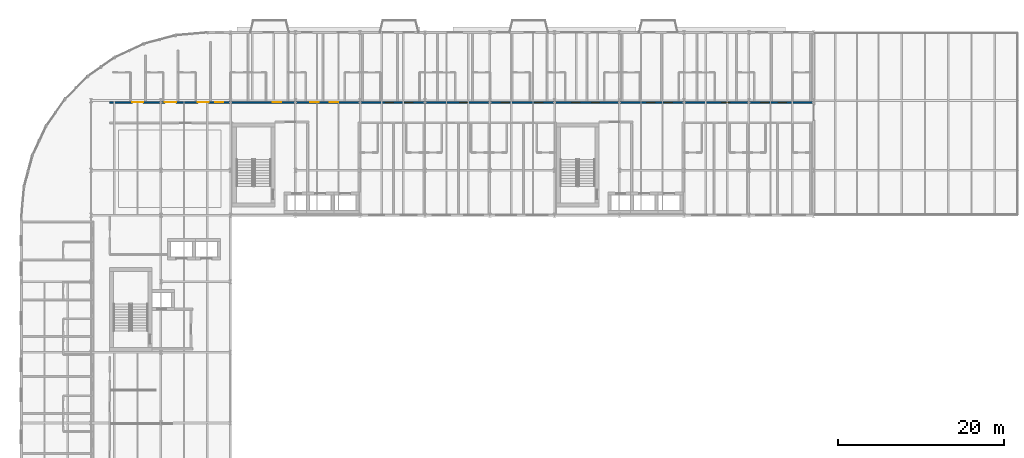
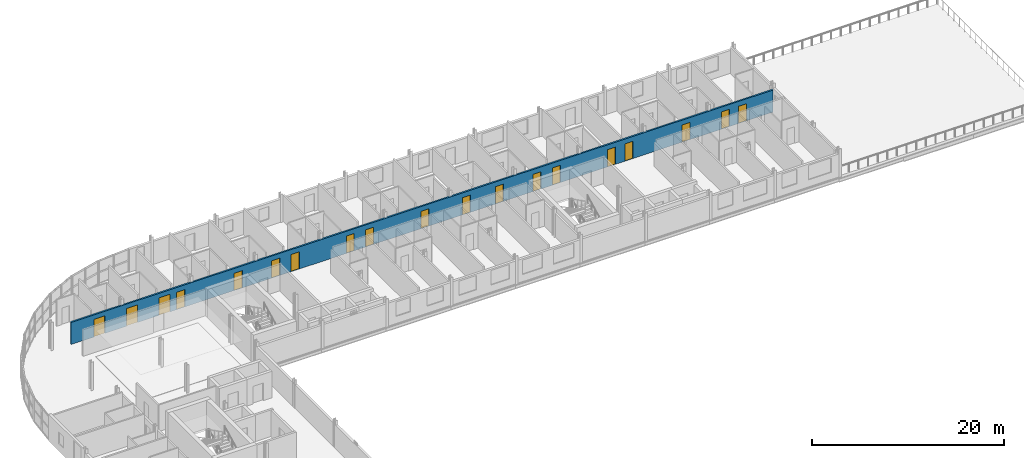
# One storey, part 22 of 30: 19 doors, 1 wall, 19 openings.
"""IFC4 building model written with IfcOpenShell, lengths in metres."""

from ifc_helpers import new_model, si_unit, direction, frame, frame_2d, origin, place, context, subcontext, project, spatial, rectangle, extrude, material, layer, layer_set, type_object, element, fill, save


model = new_model("IFC4")

# Units and contexts
model_context = context("Model", 3, precision=1e-05, world=origin(), true_north=direction((0.0, 1.0)))
body_context = subcontext(model_context, "Body", "Model", "MODEL_VIEW")
ifc_project = project(units=[si_unit("LENGTHUNIT", "METRE"), si_unit("AREAUNIT", "SQUARE_METRE"), si_unit("VOLUMEUNIT", "CUBIC_METRE"), si_unit("PLANEANGLEUNIT", "RADIAN"), si_unit("MASSUNIT", "GRAM", prefix="KILO")], contexts=[model_context])

# Site, building, storey
site_placement = place(None, origin())
site = spatial("IfcSite", under=ifc_project, at=site_placement, CompositionType="ELEMENT")
building_placement = place(site_placement, origin())
building = spatial("IfcBuilding", under=site, at=building_placement, Name="Sefraquen Railside Congress Hotel", CompositionType="ELEMENT")
storey_placement = place(building_placement, frame((0.0, 0.0, 35.39990234375)))
storey = spatial("IfcBuildingStorey", under=building, at=storey_placement, Name="L08", CompositionType="ELEMENT", Elevation=35.39990234375)

# Wall, openings, doors
ifc_material_1 = material(Name="Acoustic gypsum board on metal stud", Category="gypsum")
ifc_layer = layer(ifc_material_1, 0.199951171875)
ifc_layer_set = layer_set([ifc_layer], Name="Acoustic gypsum board on metal stud")
wall_type = type_object("IfcWallType", Name="TW-PW-200", PredefinedType="PARTITIONING", material=ifc_layer_set)
wall_placement = place(storey_placement, frame((10.64990234375, 109.60009765625, 0.0), z_axis=(0.0, 0.0, 1.0), x_axis=(1.0, 0.0, 0.0)))
wall = element("IfcWall", 1, at=wall_placement, inside=storey, type_object=wall_type, Name="Hotel L08 north corridor fire-rated partition", PredefinedType="PARTITIONING", context=body_context, shape_type="SweptSolid", body=[
    extrude(rectangle(XDim=84.610107421875, YDim=0.199951171875, at=frame_2d((42.30517578125, 0.0))), origin(), (0.0, 0.0, 1.0), 2.820068359375),
])
opening_1_placement = place(wall_placement, frame((12.675048828125, 0.0, 0.0)))
opening_1 = element("IfcOpeningElement", 2, at=opening_1_placement, cuts=wall, Name="Opening GD-01", PredefinedType="OPENING", context=body_context, shape_type="SweptSolid", body=[
    extrude(rectangle(XDim=1.02001953125, YDim=2.199951171875, at=frame_2d((0.510009765625, 1.10009765625))), frame((0.0, 0.10986328125, 0.0), z_axis=(0.0, -1.0, 0.0), x_axis=(1.0, 0.0, 0.0)), (0.0, 0.0, 1.0), 0.219970703125),
])
opening_2_placement = place(wall_placement, frame((19.6201171875, 0.0, 0.0)))
opening_2 = element("IfcOpeningElement", 3, at=opening_2_placement, cuts=wall, Name="Opening GD-01", PredefinedType="OPENING", context=body_context, shape_type="SweptSolid", body=[
    extrude(rectangle(XDim=1.02001953125, YDim=2.199951171875, at=frame_2d((0.510009765625, 1.10009765625))), frame((0.0, 0.10986328125, 0.0), z_axis=(0.0, -1.0, 0.0), x_axis=(1.0, 0.0, 0.0)), (0.0, 0.0, 1.0), 0.219970703125),
])
opening_3_placement = place(wall_placement, frame((24.1201171875, 0.0, 0.0)))
opening_3 = element("IfcOpeningElement", 4, at=opening_3_placement, cuts=wall, Name="Opening GD-01", PredefinedType="OPENING", context=body_context, shape_type="SweptSolid", body=[
    extrude(rectangle(XDim=1.02001953125, YDim=2.199951171875, at=frame_2d((0.510009765625, 1.10009765625))), frame((0.0, 0.10986328125, 0.0), z_axis=(0.0, -1.0, 0.0), x_axis=(1.0, 0.0, 0.0)), (0.0, 0.0, 1.0), 0.219970703125),
])
opening_4_placement = place(wall_placement, frame((26.469970703125, 0.0, 0.0)))
opening_4 = element("IfcOpeningElement", 5, at=opening_4_placement, cuts=wall, Name="Opening GD-01", PredefinedType="OPENING", context=body_context, shape_type="SweptSolid", body=[
    extrude(rectangle(XDim=1.02001953125, YDim=2.199951171875, at=frame_2d((0.510009765625, 1.10009765625))), frame((0.0, 0.10986328125, 0.0), z_axis=(0.0, -1.0, 0.0), x_axis=(1.0, 0.0, 0.0)), (0.0, 0.0, 1.0), 0.219970703125),
])
opening_5_placement = place(wall_placement, frame((33.14990234375, 0.0, 0.0)))
opening_5 = element("IfcOpeningElement", 6, at=opening_5_placement, cuts=wall, Name="Opening GD-02", PredefinedType="OPENING", context=body_context, shape_type="SweptSolid", body=[
    extrude(rectangle(XDim=0.9599609375, YDim=2.199951171875, at=frame_2d((0.47998046875, 1.10009765625))), frame((0.0, 0.10986328125, 0.0), z_axis=(0.0, -1.0, 0.0), x_axis=(1.0, 0.0, 0.0)), (0.0, 0.0, 1.0), 0.219970703125),
])
opening_6_placement = place(wall_placement, frame((35.5, 0.0, 0.0)))
opening_6 = element("IfcOpeningElement", 7, at=opening_6_placement, cuts=wall, Name="Opening GD-02", PredefinedType="OPENING", context=body_context, shape_type="SweptSolid", body=[
    extrude(rectangle(XDim=0.9599609375, YDim=2.199951171875, at=frame_2d((0.47998046875, 1.10009765625))), frame((0.0, 0.10986328125, 0.0), z_axis=(0.0, -1.0, 0.0), x_axis=(1.0, 0.0, 0.0)), (0.0, 0.0, 1.0), 0.219970703125),
])
opening_7_placement = place(wall_placement, frame((42.14990234375, 0.0, 0.0)))
opening_7 = element("IfcOpeningElement", 8, at=opening_7_placement, cuts=wall, Name="Opening GD-02", PredefinedType="OPENING", context=body_context, shape_type="SweptSolid", body=[
    extrude(rectangle(XDim=0.9599609375, YDim=2.199951171875, at=frame_2d((0.47998046875, 1.10009765625))), frame((0.0, 0.10986328125, 0.0), z_axis=(0.0, -1.0, 0.0), x_axis=(1.0, 0.0, 0.0)), (0.0, 0.0, 1.0), 0.219970703125),
])
opening_8_placement = place(wall_placement, frame((47.14990234375, 0.0, 0.0)))
opening_8 = element("IfcOpeningElement", 9, at=opening_8_placement, cuts=wall, Name="Opening GD-02", PredefinedType="OPENING", context=body_context, shape_type="SweptSolid", body=[
    extrude(rectangle(XDim=0.9599609375, YDim=2.199951171875, at=frame_2d((0.47998046875, 1.10009765625))), frame((0.0, 0.10986328125, 0.0), z_axis=(0.0, -1.0, 0.0), x_axis=(1.0, 0.0, 0.0)), (0.0, 0.0, 1.0), 0.219970703125),
])
opening_9_placement = place(wall_placement, frame((51.14990234375, 0.0, 0.0)))
opening_9 = element("IfcOpeningElement", 10, at=opening_9_placement, cuts=wall, Name="Opening GD-02", PredefinedType="OPENING", context=body_context, shape_type="SweptSolid", body=[
    extrude(rectangle(XDim=0.9599609375, YDim=2.199951171875, at=frame_2d((0.47998046875, 1.10009765625))), frame((0.0, 0.10986328125, 0.0), z_axis=(0.0, -1.0, 0.0), x_axis=(1.0, 0.0, 0.0)), (0.0, 0.0, 1.0), 0.219970703125),
])
opening_10_placement = place(wall_placement, frame((55.64990234375, 0.0, 0.0)))
opening_10 = element("IfcOpeningElement", 11, at=opening_10_placement, cuts=wall, Name="Opening GD-02", PredefinedType="OPENING", context=body_context, shape_type="SweptSolid", body=[
    extrude(rectangle(XDim=0.9599609375, YDim=2.199951171875, at=frame_2d((0.47998046875, 1.10009765625))), frame((0.0, 0.10986328125, 0.0), z_axis=(0.0, -1.0, 0.0), x_axis=(1.0, 0.0, 0.0)), (0.0, 0.0, 1.0), 0.219970703125),
])
opening_11_placement = place(wall_placement, frame((58.0, 0.0, 0.0)))
opening_11 = element("IfcOpeningElement", 12, at=opening_11_placement, cuts=wall, Name="Opening GD-02", PredefinedType="OPENING", context=body_context, shape_type="SweptSolid", body=[
    extrude(rectangle(XDim=0.9599609375, YDim=2.199951171875, at=frame_2d((0.47998046875, 1.10009765625))), frame((0.0, 0.10986328125, 0.0), z_axis=(0.0, -1.0, 0.0), x_axis=(1.0, 0.0, 0.0)), (0.0, 0.0, 1.0), 0.219970703125),
])
opening_12_placement = place(wall_placement, frame((64.64990234375, 0.0, 0.0)))
opening_12 = element("IfcOpeningElement", 13, at=opening_12_placement, cuts=wall, Name="Opening GD-02", PredefinedType="OPENING", context=body_context, shape_type="SweptSolid", body=[
    extrude(rectangle(XDim=0.9599609375, YDim=2.199951171875, at=frame_2d((0.47998046875, 1.10009765625))), frame((0.0, 0.10986328125, 0.0), z_axis=(0.0, -1.0, 0.0), x_axis=(1.0, 0.0, 0.0)), (0.0, 0.0, 1.0), 0.219970703125),
])
opening_13_placement = place(wall_placement, frame((66.75, 0.0, 0.0)))
opening_13 = element("IfcOpeningElement", 14, at=opening_13_placement, cuts=wall, Name="Opening GD-02", PredefinedType="OPENING", context=body_context, shape_type="SweptSolid", body=[
    extrude(rectangle(XDim=0.9599609375, YDim=2.199951171875, at=frame_2d((0.47998046875, 1.10009765625))), frame((0.0, 0.10986328125, 0.0), z_axis=(0.0, -1.0, 0.0), x_axis=(1.0, 0.0, 0.0)), (0.0, 0.0, 1.0), 0.219970703125),
])
opening_14_placement = place(wall_placement, frame((73.64990234375, 0.0, 0.0)))
opening_14 = element("IfcOpeningElement", 15, at=opening_14_placement, cuts=wall, Name="Opening GD-02", PredefinedType="OPENING", context=body_context, shape_type="SweptSolid", body=[
    extrude(rectangle(XDim=0.9599609375, YDim=2.199951171875, at=frame_2d((0.47998046875, 1.10009765625))), frame((0.0, 0.10986328125, 0.0), z_axis=(0.0, -1.0, 0.0), x_axis=(1.0, 0.0, 0.0)), (0.0, 0.0, 1.0), 0.219970703125),
])
opening_15_placement = place(wall_placement, frame((78.39990234375, 0.0, 0.0)))
opening_15 = element("IfcOpeningElement", 16, at=opening_15_placement, cuts=wall, Name="Opening GD-02", PredefinedType="OPENING", context=body_context, shape_type="SweptSolid", body=[
    extrude(rectangle(XDim=0.9599609375, YDim=2.199951171875, at=frame_2d((0.47998046875, 1.10009765625))), frame((0.0, 0.10986328125, 0.0), z_axis=(0.0, -1.0, 0.0), x_axis=(1.0, 0.0, 0.0)), (0.0, 0.0, 1.0), 0.219970703125),
])
opening_16_placement = place(wall_placement, frame((80.455078125, 0.0, 0.0)))
opening_16 = element("IfcOpeningElement", 17, at=opening_16_placement, cuts=wall, Name="Opening GD-02", PredefinedType="OPENING", context=body_context, shape_type="SweptSolid", body=[
    extrude(rectangle(XDim=0.9599609375, YDim=2.199951171875, at=frame_2d((0.47998046875, 1.10009765625))), frame((0.0, 0.10986328125, 0.0), z_axis=(0.0, -1.0, 0.0), x_axis=(1.0, 0.0, 0.0)), (0.0, 0.0, 1.0), 0.219970703125),
])
opening_17_placement = place(wall_placement, frame((2.716064453125, 0.0, 0.0)))
opening_17 = element("IfcOpeningElement", 18, at=opening_17_placement, cuts=wall, Name="Opening GD-03", PredefinedType="OPENING", context=body_context, shape_type="SweptSolid", body=[
    extrude(rectangle(XDim=1.35009765625, YDim=2.25, at=frame_2d((0.675048828125, 1.125))), frame((0.0, 0.10986328125, 0.0), z_axis=(0.0, -1.0, 0.0), x_axis=(1.0, 0.0, 0.0)), (0.0, 0.0, 1.0), 0.219970703125),
])
opening_18_placement = place(wall_placement, frame((6.64990234375, 0.0, 0.0)))
opening_18 = element("IfcOpeningElement", 19, at=opening_18_placement, cuts=wall, Name="Opening GD-03", PredefinedType="OPENING", context=body_context, shape_type="SweptSolid", body=[
    extrude(rectangle(XDim=1.35009765625, YDim=2.25, at=frame_2d((0.675048828125, 1.125))), frame((0.0, 0.10986328125, 0.0), z_axis=(0.0, -1.0, 0.0), x_axis=(1.0, 0.0, 0.0)), (0.0, 0.0, 1.0), 0.219970703125),
])
opening_19_placement = place(wall_placement, frame((10.5830078125, 0.0, 0.0)))
opening_19 = element("IfcOpeningElement", 20, at=opening_19_placement, cuts=wall, Name="Opening GD-03", PredefinedType="OPENING", context=body_context, shape_type="SweptSolid", body=[
    extrude(rectangle(XDim=1.35009765625, YDim=2.25, at=frame_2d((0.675048828125, 1.125))), frame((0.0, 0.10986328125, 0.0), z_axis=(0.0, -1.0, 0.0), x_axis=(1.0, 0.0, 0.0)), (0.0, 0.0, 1.0), 0.219970703125),
])
ifc_material_2 = material(Name="Solid Atlas cedar timber fire leaf", Category="wood")
door_type_1 = type_object("IfcDoorType", Name="TD-GD-01", OperationType="NOTDEFINED", PredefinedType="DOOR", material=ifc_material_2)
door_1_placement = place(opening_1_placement, origin())
door_1 = element("IfcDoor", 21, at=door_1_placement, inside=storey, type_object=door_type_1, Name="Guest room entrance fire door RM-001", OperationType="SINGLE_SWING_RIGHT", OverallHeight=2.199951171875, OverallWidth=1.02001953125, PredefinedType="DOOR", context=body_context, shape_type="SweptSolid", body=[
    extrude(rectangle(XDim=1.02001953125, YDim=2.199951171875, at=frame_2d((0.510009765625, 1.10009765625))), frame((0.0, 0.02490234375, 0.0), z_axis=(0.0, -1.0, 0.0), x_axis=(1.0, 0.0, 0.0)), (0.0, 0.0, 1.0), 0.050048828125),
])
fill(opening_1, door_1)
door_2_placement = place(opening_2_placement, origin())
door_2 = element("IfcDoor", 22, at=door_2_placement, inside=storey, type_object=door_type_1, Name="Guest room entrance fire door RM-002", OperationType="SINGLE_SWING_RIGHT", OverallHeight=2.199951171875, OverallWidth=1.02001953125, PredefinedType="DOOR", context=body_context, shape_type="SweptSolid", body=[
    extrude(rectangle(XDim=1.02001953125, YDim=2.199951171875, at=frame_2d((0.510009765625, 1.10009765625))), frame((0.0, 0.02490234375, 0.0), z_axis=(0.0, -1.0, 0.0), x_axis=(1.0, 0.0, 0.0)), (0.0, 0.0, 1.0), 0.050048828125),
])
fill(opening_2, door_2)
door_3_placement = place(opening_3_placement, origin())
door_3 = element("IfcDoor", 23, at=door_3_placement, inside=storey, type_object=door_type_1, Name="Guest room entrance fire door RM-003", OperationType="SINGLE_SWING_RIGHT", OverallHeight=2.199951171875, OverallWidth=1.02001953125, PredefinedType="DOOR", context=body_context, shape_type="SweptSolid", body=[
    extrude(rectangle(XDim=1.02001953125, YDim=2.199951171875, at=frame_2d((0.510009765625, 1.10009765625))), frame((0.0, 0.02490234375, 0.0), z_axis=(0.0, -1.0, 0.0), x_axis=(1.0, 0.0, 0.0)), (0.0, 0.0, 1.0), 0.050048828125),
])
fill(opening_3, door_3)
door_4_placement = place(opening_4_placement, origin())
door_4 = element("IfcDoor", 24, at=door_4_placement, inside=storey, type_object=door_type_1, Name="Guest room entrance fire door RM-004", OperationType="SINGLE_SWING_RIGHT", OverallHeight=2.199951171875, OverallWidth=1.02001953125, PredefinedType="DOOR", context=body_context, shape_type="SweptSolid", body=[
    extrude(rectangle(XDim=1.02001953125, YDim=2.199951171875, at=frame_2d((0.510009765625, 1.10009765625))), frame((0.0, 0.02490234375, 0.0), z_axis=(0.0, -1.0, 0.0), x_axis=(1.0, 0.0, 0.0)), (0.0, 0.0, 1.0), 0.050048828125),
])
fill(opening_4, door_4)
door_type_2 = type_object("IfcDoorType", Name="TD-GD-02", OperationType="NOTDEFINED", PredefinedType="DOOR", material=ifc_material_2)
door_5_placement = place(opening_5_placement, origin())
door_5 = element("IfcDoor", 25, at=door_5_placement, inside=storey, type_object=door_type_2, Name="Guest room entrance fire door RM-005", OperationType="SINGLE_SWING_RIGHT", OverallHeight=2.199951171875, OverallWidth=0.9599609375, PredefinedType="DOOR", context=body_context, shape_type="SweptSolid", body=[
    extrude(rectangle(XDim=0.9599609375, YDim=2.199951171875, at=frame_2d((0.47998046875, 1.10009765625))), frame((0.0, 0.02490234375, 0.0), z_axis=(0.0, -1.0, 0.0), x_axis=(1.0, 0.0, 0.0)), (0.0, 0.0, 1.0), 0.050048828125),
])
fill(opening_5, door_5)
door_6_placement = place(opening_6_placement, origin())
door_6 = element("IfcDoor", 26, at=door_6_placement, inside=storey, type_object=door_type_2, Name="Guest room entrance fire door RM-006", OperationType="SINGLE_SWING_RIGHT", OverallHeight=2.199951171875, OverallWidth=0.9599609375, PredefinedType="DOOR", context=body_context, shape_type="SweptSolid", body=[
    extrude(rectangle(XDim=0.9599609375, YDim=2.199951171875, at=frame_2d((0.47998046875, 1.10009765625))), frame((0.0, 0.02490234375, 0.0), z_axis=(0.0, -1.0, 0.0), x_axis=(1.0, 0.0, 0.0)), (0.0, 0.0, 1.0), 0.050048828125),
])
fill(opening_6, door_6)
door_7_placement = place(opening_7_placement, origin())
door_7 = element("IfcDoor", 27, at=door_7_placement, inside=storey, type_object=door_type_2, Name="Guest room entrance fire door RM-007", OperationType="SINGLE_SWING_RIGHT", OverallHeight=2.199951171875, OverallWidth=0.9599609375, PredefinedType="DOOR", context=body_context, shape_type="SweptSolid", body=[
    extrude(rectangle(XDim=0.9599609375, YDim=2.199951171875, at=frame_2d((0.47998046875, 1.10009765625))), frame((0.0, 0.02490234375, 0.0), z_axis=(0.0, -1.0, 0.0), x_axis=(1.0, 0.0, 0.0)), (0.0, 0.0, 1.0), 0.050048828125),
])
fill(opening_7, door_7)
door_8_placement = place(opening_8_placement, origin())
door_8 = element("IfcDoor", 28, at=door_8_placement, inside=storey, type_object=door_type_2, Name="Guest room entrance fire door RM-008", OperationType="SINGLE_SWING_RIGHT", OverallHeight=2.199951171875, OverallWidth=0.9599609375, PredefinedType="DOOR", context=body_context, shape_type="SweptSolid", body=[
    extrude(rectangle(XDim=0.9599609375, YDim=2.199951171875, at=frame_2d((0.47998046875, 1.10009765625))), frame((0.0, 0.02490234375, 0.0), z_axis=(0.0, -1.0, 0.0), x_axis=(1.0, 0.0, 0.0)), (0.0, 0.0, 1.0), 0.050048828125),
])
fill(opening_8, door_8)
door_9_placement = place(opening_9_placement, origin())
door_9 = element("IfcDoor", 29, at=door_9_placement, inside=storey, type_object=door_type_2, Name="Guest room entrance fire door RM-009", OperationType="SINGLE_SWING_RIGHT", OverallHeight=2.199951171875, OverallWidth=0.9599609375, PredefinedType="DOOR", context=body_context, shape_type="SweptSolid", body=[
    extrude(rectangle(XDim=0.9599609375, YDim=2.199951171875, at=frame_2d((0.47998046875, 1.10009765625))), frame((0.0, 0.02490234375, 0.0), z_axis=(0.0, -1.0, 0.0), x_axis=(1.0, 0.0, 0.0)), (0.0, 0.0, 1.0), 0.050048828125),
])
fill(opening_9, door_9)
door_10_placement = place(opening_10_placement, origin())
door_10 = element("IfcDoor", 30, at=door_10_placement, inside=storey, type_object=door_type_2, Name="Guest room entrance fire door RM-010", OperationType="SINGLE_SWING_RIGHT", OverallHeight=2.199951171875, OverallWidth=0.9599609375, PredefinedType="DOOR", context=body_context, shape_type="SweptSolid", body=[
    extrude(rectangle(XDim=0.9599609375, YDim=2.199951171875, at=frame_2d((0.47998046875, 1.10009765625))), frame((0.0, 0.02490234375, 0.0), z_axis=(0.0, -1.0, 0.0), x_axis=(1.0, 0.0, 0.0)), (0.0, 0.0, 1.0), 0.050048828125),
])
fill(opening_10, door_10)
door_11_placement = place(opening_11_placement, origin())
door_11 = element("IfcDoor", 31, at=door_11_placement, inside=storey, type_object=door_type_2, Name="Guest room entrance fire door RM-011", OperationType="SINGLE_SWING_RIGHT", OverallHeight=2.199951171875, OverallWidth=0.9599609375, PredefinedType="DOOR", context=body_context, shape_type="SweptSolid", body=[
    extrude(rectangle(XDim=0.9599609375, YDim=2.199951171875, at=frame_2d((0.47998046875, 1.10009765625))), frame((0.0, 0.02490234375, 0.0), z_axis=(0.0, -1.0, 0.0), x_axis=(1.0, 0.0, 0.0)), (0.0, 0.0, 1.0), 0.050048828125),
])
fill(opening_11, door_11)
door_12_placement = place(opening_12_placement, origin())
door_12 = element("IfcDoor", 32, at=door_12_placement, inside=storey, type_object=door_type_2, Name="Guest room entrance fire door RM-012", OperationType="SINGLE_SWING_RIGHT", OverallHeight=2.199951171875, OverallWidth=0.9599609375, PredefinedType="DOOR", context=body_context, shape_type="SweptSolid", body=[
    extrude(rectangle(XDim=0.9599609375, YDim=2.199951171875, at=frame_2d((0.47998046875, 1.10009765625))), frame((0.0, 0.02490234375, 0.0), z_axis=(0.0, -1.0, 0.0), x_axis=(1.0, 0.0, 0.0)), (0.0, 0.0, 1.0), 0.050048828125),
])
fill(opening_12, door_12)
door_13_placement = place(opening_13_placement, origin())
door_13 = element("IfcDoor", 33, at=door_13_placement, inside=storey, type_object=door_type_2, Name="Guest room entrance fire door RM-013", OperationType="SINGLE_SWING_RIGHT", OverallHeight=2.199951171875, OverallWidth=0.9599609375, PredefinedType="DOOR", context=body_context, shape_type="SweptSolid", body=[
    extrude(rectangle(XDim=0.9599609375, YDim=2.199951171875, at=frame_2d((0.47998046875, 1.10009765625))), frame((0.0, 0.02490234375, 0.0), z_axis=(0.0, -1.0, 0.0), x_axis=(1.0, 0.0, 0.0)), (0.0, 0.0, 1.0), 0.050048828125),
])
fill(opening_13, door_13)
door_14_placement = place(opening_14_placement, origin())
door_14 = element("IfcDoor", 34, at=door_14_placement, inside=storey, type_object=door_type_2, Name="Guest room entrance fire door RM-014", OperationType="SINGLE_SWING_RIGHT", OverallHeight=2.199951171875, OverallWidth=0.9599609375, PredefinedType="DOOR", context=body_context, shape_type="SweptSolid", body=[
    extrude(rectangle(XDim=0.9599609375, YDim=2.199951171875, at=frame_2d((0.47998046875, 1.10009765625))), frame((0.0, 0.02490234375, 0.0), z_axis=(0.0, -1.0, 0.0), x_axis=(1.0, 0.0, 0.0)), (0.0, 0.0, 1.0), 0.050048828125),
])
fill(opening_14, door_14)
door_15_placement = place(opening_15_placement, origin())
door_15 = element("IfcDoor", 35, at=door_15_placement, inside=storey, type_object=door_type_2, Name="Guest room entrance fire door RM-015", OperationType="SINGLE_SWING_RIGHT", OverallHeight=2.199951171875, OverallWidth=0.9599609375, PredefinedType="DOOR", context=body_context, shape_type="SweptSolid", body=[
    extrude(rectangle(XDim=0.9599609375, YDim=2.199951171875, at=frame_2d((0.47998046875, 1.10009765625))), frame((0.0, 0.02490234375, 0.0), z_axis=(0.0, -1.0, 0.0), x_axis=(1.0, 0.0, 0.0)), (0.0, 0.0, 1.0), 0.050048828125),
])
fill(opening_15, door_15)
door_16_placement = place(opening_16_placement, origin())
door_16 = element("IfcDoor", 36, at=door_16_placement, inside=storey, type_object=door_type_2, Name="Guest room entrance fire door RM-016", OperationType="SINGLE_SWING_RIGHT", OverallHeight=2.199951171875, OverallWidth=0.9599609375, PredefinedType="DOOR", context=body_context, shape_type="SweptSolid", body=[
    extrude(rectangle(XDim=0.9599609375, YDim=2.199951171875, at=frame_2d((0.47998046875, 1.10009765625))), frame((0.0, 0.02490234375, 0.0), z_axis=(0.0, -1.0, 0.0), x_axis=(1.0, 0.0, 0.0)), (0.0, 0.0, 1.0), 0.050048828125),
])
fill(opening_16, door_16)
door_type_3 = type_object("IfcDoorType", Name="TD-GD-03", OperationType="NOTDEFINED", PredefinedType="DOOR", material=ifc_material_2)
door_17_placement = place(opening_17_placement, origin())
door_17 = element("IfcDoor", 37, at=door_17_placement, inside=storey, type_object=door_type_3, Name="Guest room entrance fire door RM-034", OperationType="DOUBLE_SWING_LEFT", OverallHeight=2.25, OverallWidth=1.35009765625, PredefinedType="DOOR", context=body_context, shape_type="SweptSolid", body=[
    extrude(rectangle(XDim=1.35009765625, YDim=2.25, at=frame_2d((0.675048828125, 1.125))), frame((0.0, 0.02490234375, 0.0), z_axis=(0.0, -1.0, 0.0), x_axis=(1.0, 0.0, 0.0)), (0.0, 0.0, 1.0), 0.050048828125),
])
fill(opening_17, door_17)
door_18_placement = place(opening_18_placement, origin())
door_18 = element("IfcDoor", 38, at=door_18_placement, inside=storey, type_object=door_type_3, Name="Guest room entrance fire door RM-035", OperationType="DOUBLE_SWING_LEFT", OverallHeight=2.25, OverallWidth=1.35009765625, PredefinedType="DOOR", context=body_context, shape_type="SweptSolid", body=[
    extrude(rectangle(XDim=1.35009765625, YDim=2.25, at=frame_2d((0.675048828125, 1.125))), frame((0.0, 0.02490234375, 0.0), z_axis=(0.0, -1.0, 0.0), x_axis=(1.0, 0.0, 0.0)), (0.0, 0.0, 1.0), 0.050048828125),
])
fill(opening_18, door_18)
door_19_placement = place(opening_19_placement, origin())
door_19 = element("IfcDoor", 39, at=door_19_placement, inside=storey, type_object=door_type_3, Name="Guest room entrance fire door RM-036", OperationType="DOUBLE_SWING_LEFT", OverallHeight=2.25, OverallWidth=1.35009765625, PredefinedType="DOOR", context=body_context, shape_type="SweptSolid", body=[
    extrude(rectangle(XDim=1.35009765625, YDim=2.25, at=frame_2d((0.675048828125, 1.125))), frame((0.0, 0.02490234375, 0.0), z_axis=(0.0, -1.0, 0.0), x_axis=(1.0, 0.0, 0.0)), (0.0, 0.0, 1.0), 0.050048828125),
])
fill(opening_19, door_19)

save(model, "model.ifc")
